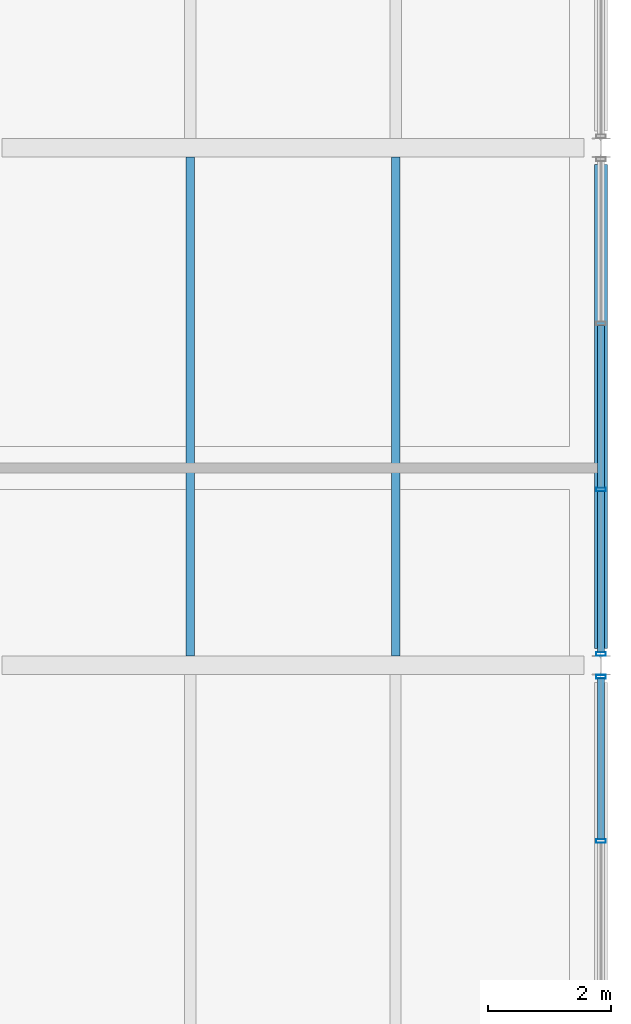
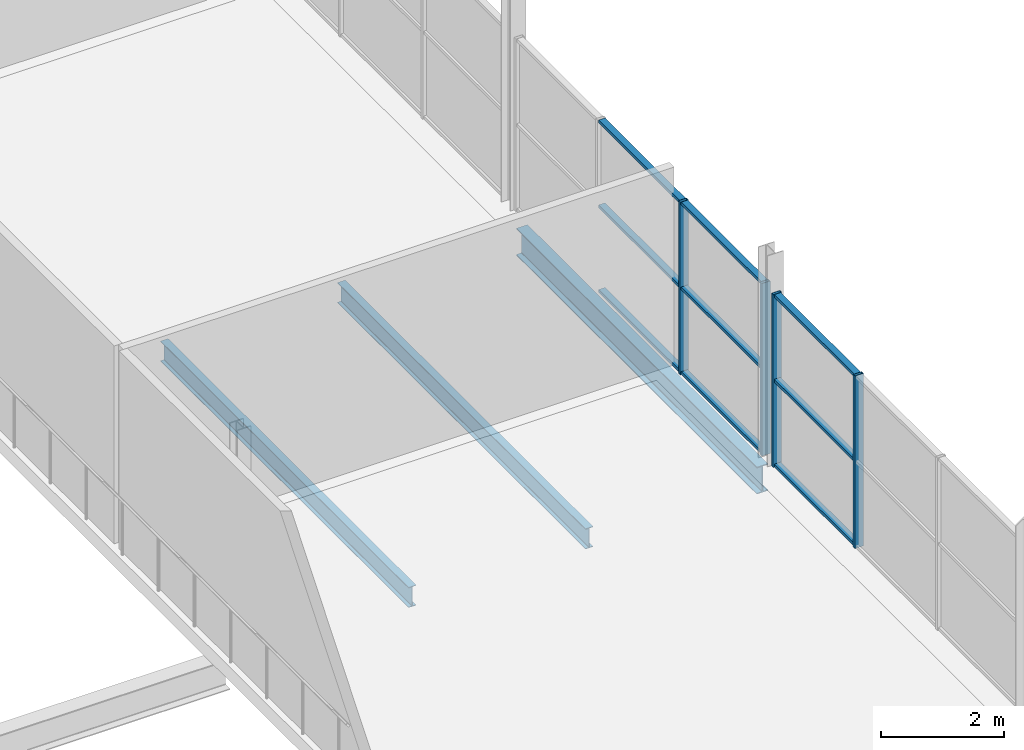
# One storey, part 107 of 161: 13 members, 3 beams, 2 elements without a shape of their own.
"""IFC4 building model written with IfcOpenShell, lengths in metres."""

from ifc_helpers import new_model, si_unit, direction, frame, origin, origin_2d, place, context, subcontext, project, spatial, hollow_rectangle, i_section, extrude, material, material_profile, profile_set, type_object, element, aggregate, save


model = new_model("IFC4")

# Units and contexts
model_context = context("Model", 3, precision=1e-05, world=origin(), true_north=direction((0.0, 1.0)))
body_context = subcontext(model_context, "Body", "Model", "MODEL_VIEW")
ifc_project = project(units=[si_unit("LENGTHUNIT", "METRE"), si_unit("AREAUNIT", "SQUARE_METRE"), si_unit("VOLUMEUNIT", "CUBIC_METRE"), si_unit("PLANEANGLEUNIT", "RADIAN"), si_unit("MASSUNIT", "GRAM", prefix="KILO"), si_unit("THERMODYNAMICTEMPERATUREUNIT", "KELVIN")], contexts=[model_context])

# Site, building, storey
site_placement = place(None, origin())
site = spatial("IfcSite", under=ifc_project, at=site_placement, CompositionType="ELEMENT")
building_placement = place(site_placement, origin())
building = spatial("IfcBuilding", under=site, at=building_placement, Name="Nduvali Passage Aquatics Centre", CompositionType="ELEMENT")
storey_placement = place(building_placement, frame((0.0, 0.0, 4.800048828125)))
storey = spatial("IfcBuildingStorey", under=building, at=storey_placement, Name="L01", CompositionType="ELEMENT", Elevation=4.800048828125)

# Curtain wall, members
ifc_material_1 = material(Name="Aluminium EN AW-6063 T6", Category="aluminium")
curtain_wall_type = type_object("IfcCurtainWallType", Name="ENV-CW-FOYR", PredefinedType="NOTDEFINED", material=ifc_material_1)
curtain_wall_1_placement = place(storey_placement, origin())
curtain_wall_1 = element("IfcCurtainWall", 1, at=curtain_wall_1_placement, inside=storey, type_object=curtain_wall_type, Name="L01 East Avenue Entrance Upper CW 085", PredefinedType="NOTDEFINED")
ifc_material_profile_1 = material_profile(ifc_material_1, hollow_rectangle(XDim=0.06005859375, YDim=0.159912109375, WallThickness=0.00390625, at=origin_2d()), Name="ALU MULLION 60x160x4")
ifc_profile_set_1 = profile_set([ifc_material_profile_1], Name="Aluminium EN AW-6063 T6")
member_type_1 = type_object("IfcMemberType", Name="ENV-MEM-MUL60", PredefinedType="MULLION", material=ifc_profile_set_1)
member_1_placement = place(storey_placement, frame((168.0, 55.9482421875, 0.0), z_axis=(0.0, 0.0, 1.0), x_axis=(0.0, 1.0, 0.0)))
member_1 = element("IfcMember", 2, at=member_1_placement, type_object=member_type_1, Name="East Avenue Entrance Upper CW Mullion 3", PredefinedType="MULLION", context=body_context, shape_type="SweptSolid", body=[
    extrude(hollow_rectangle(XDim=0.06005859375, YDim=0.159912109375, WallThickness=0.00390625, at=origin_2d()), origin(), (0.0, 0.0, 1.0), 3.436279296875),
])
member_2_placement = place(storey_placement, frame((168.0, 58.614990234375, 0.0), z_axis=(0.0, 0.0, 1.0), x_axis=(0.0, 1.0, 0.0)))
member_2 = element("IfcMember", 3, at=member_2_placement, type_object=member_type_1, Name="East Avenue Entrance Upper CW Mullion 4", PredefinedType="MULLION", context=body_context, shape_type="SweptSolid", body=[
    extrude(hollow_rectangle(XDim=0.06005859375, YDim=0.159912109375, WallThickness=0.00390625, at=origin_2d()), origin(), (0.0, 0.0, 1.0), 3.436279296875),
])

curtain_wall_2_placement = place(storey_placement, origin())
curtain_wall_2 = element("IfcCurtainWall", 4, at=curtain_wall_2_placement, inside=storey, type_object=curtain_wall_type, Name="L01 East Avenue Entrance Upper CW 086", PredefinedType="NOTDEFINED")
member_3_placement = place(storey_placement, frame((168.0, 58.985107421875, 0.0), z_axis=(0.0, 0.0, 1.0), x_axis=(0.0, 1.0, 0.0)))
member_3 = element("IfcMember", 5, at=member_3_placement, type_object=member_type_1, Name="East Avenue Entrance Upper CW Mullion 1", PredefinedType="MULLION", context=body_context, shape_type="SweptSolid", body=[
    extrude(hollow_rectangle(XDim=0.06005859375, YDim=0.159912109375, WallThickness=0.00390625, at=origin_2d()), origin(), (0.0, 0.0, 1.0), 3.436279296875),
])
member_4_placement = place(storey_placement, frame((168.0, 61.651611328125, 0.0), z_axis=(0.0, 0.0, 1.0), x_axis=(0.0, 1.0, 0.0)))
member_4 = element("IfcMember", 6, at=member_4_placement, type_object=member_type_1, Name="East Avenue Entrance Upper CW Mullion 2", PredefinedType="MULLION", context=body_context, shape_type="SweptSolid", body=[
    extrude(hollow_rectangle(XDim=0.06005859375, YDim=0.159912109375, WallThickness=0.00390625, at=origin_2d()), origin(), (0.0, 0.0, 1.0), 3.436279296875),
])

# Member
ifc_material_profile_2 = material_profile(ifc_material_1, hollow_rectangle(XDim=0.1201171875, YDim=0.06005859375, WallThickness=0.00390625, at=origin_2d()), Name="ALU TRANSOM 120x60x4")
ifc_profile_set_2 = profile_set([ifc_material_profile_2], Name="Aluminium EN AW-6063 T6")
member_type_2 = type_object("IfcMemberType", Name="ENV-MEM-TRN60", PredefinedType="USERDEFINED", material=ifc_profile_set_2)
member_5_placement = place(storey_placement, frame((168.0, 55.978271484375, 0.030029296875), z_axis=(0.0, 1.0, 0.0), x_axis=(-1.0, 0.0, 0.0)))
member_5 = element("IfcMember", 7, at=member_5_placement, type_object=member_type_2, Name="East Avenue Entrance Upper CW Transom B3-R0", ObjectType="TRANSOM", PredefinedType="USERDEFINED", context=body_context, shape_type="SweptSolid", body=[
    extrude(hollow_rectangle(XDim=0.1201171875, YDim=0.06005859375, WallThickness=0.00390625, at=origin_2d()), origin(), (0.0, 0.0, 1.0), 2.606689453125),
])

member_6_placement = place(storey_placement, frame((168.0, 55.978271484375, 1.71826171875), z_axis=(0.0, 1.0, 0.0), x_axis=(-1.0, 0.0, 0.0)))
member_6 = element("IfcMember", 8, at=member_6_placement, type_object=member_type_2, Name="East Avenue Entrance Upper CW Transom B3-R1", ObjectType="TRANSOM", PredefinedType="USERDEFINED", context=body_context, shape_type="SweptSolid", body=[
    extrude(hollow_rectangle(XDim=0.1201171875, YDim=0.06005859375, WallThickness=0.00390625, at=origin_2d()), origin(), (0.0, 0.0, 1.0), 2.606689453125),
])

member_7_placement = place(storey_placement, frame((168.0, 55.978271484375, 3.40625), z_axis=(0.0, 1.0, 0.0), x_axis=(-1.0, 0.0, 0.0)))
member_7 = element("IfcMember", 9, at=member_7_placement, type_object=member_type_2, Name="East Avenue Entrance Upper CW Transom B3-R2", ObjectType="TRANSOM", PredefinedType="USERDEFINED", context=body_context, shape_type="SweptSolid", body=[
    extrude(hollow_rectangle(XDim=0.1201171875, YDim=0.06005859375, WallThickness=0.00390625, at=origin_2d()), origin(), (0.0, 0.0, 1.0), 2.606689453125),
])

aggregate(curtain_wall_1, [member_1, member_2, member_5, member_6, member_7])

member_8_placement = place(storey_placement, frame((168.0, 59.014892578125, 0.030029296875), z_axis=(0.0, 1.0, 0.0), x_axis=(-1.0, 0.0, 0.0)))
member_8 = element("IfcMember", 10, at=member_8_placement, type_object=member_type_2, Name="East Avenue Entrance Upper CW Transom B1-R0", ObjectType="TRANSOM", PredefinedType="USERDEFINED", context=body_context, shape_type="SweptSolid", body=[
    extrude(hollow_rectangle(XDim=0.1201171875, YDim=0.06005859375, WallThickness=0.00390625, at=origin_2d()), origin(), (0.0, 0.0, 1.0), 2.606689453125),
])

member_9_placement = place(storey_placement, frame((168.0, 59.014892578125, 1.71826171875), z_axis=(0.0, 1.0, 0.0), x_axis=(-1.0, 0.0, 0.0)))
member_9 = element("IfcMember", 11, at=member_9_placement, type_object=member_type_2, Name="East Avenue Entrance Upper CW Transom B1-R1", ObjectType="TRANSOM", PredefinedType="USERDEFINED", context=body_context, shape_type="SweptSolid", body=[
    extrude(hollow_rectangle(XDim=0.1201171875, YDim=0.06005859375, WallThickness=0.00390625, at=origin_2d()), origin(), (0.0, 0.0, 1.0), 2.606689453125),
])

member_10_placement = place(storey_placement, frame((168.0, 59.014892578125, 3.40625), z_axis=(0.0, 1.0, 0.0), x_axis=(-1.0, 0.0, 0.0)))
member_10 = element("IfcMember", 12, at=member_10_placement, type_object=member_type_2, Name="East Avenue Entrance Upper CW Transom B1-R2", ObjectType="TRANSOM", PredefinedType="USERDEFINED", context=body_context, shape_type="SweptSolid", body=[
    extrude(hollow_rectangle(XDim=0.1201171875, YDim=0.06005859375, WallThickness=0.00390625, at=origin_2d()), origin(), (0.0, 0.0, 1.0), 2.606689453125),
])

member_11_placement = place(storey_placement, frame((168.0, 61.681640625, 0.030029296875), z_axis=(0.0, 1.0, 0.0), x_axis=(-1.0, 0.0, 0.0)))
member_11 = element("IfcMember", 13, at=member_11_placement, type_object=member_type_2, Name="East Avenue Entrance Upper CW Transom B2-R0", ObjectType="TRANSOM", PredefinedType="USERDEFINED", context=body_context, shape_type="SweptSolid", body=[
    extrude(hollow_rectangle(XDim=0.1201171875, YDim=0.06005859375, WallThickness=0.00390625, at=origin_2d()), origin(), (0.0, 0.0, 1.0), 2.63671875),
])

member_12_placement = place(storey_placement, frame((168.0, 61.681640625, 1.71826171875), z_axis=(0.0, 1.0, 0.0), x_axis=(-1.0, 0.0, 0.0)))
member_12 = element("IfcMember", 14, at=member_12_placement, type_object=member_type_2, Name="East Avenue Entrance Upper CW Transom B2-R1", ObjectType="TRANSOM", PredefinedType="USERDEFINED", context=body_context, shape_type="SweptSolid", body=[
    extrude(hollow_rectangle(XDim=0.1201171875, YDim=0.06005859375, WallThickness=0.00390625, at=origin_2d()), origin(), (0.0, 0.0, 1.0), 2.63671875),
])

member_13_placement = place(storey_placement, frame((168.0, 61.681640625, 3.40625), z_axis=(0.0, 1.0, 0.0), x_axis=(-1.0, 0.0, 0.0)))
member_13 = element("IfcMember", 15, at=member_13_placement, type_object=member_type_2, Name="East Avenue Entrance Upper CW Transom B2-R2", ObjectType="TRANSOM", PredefinedType="USERDEFINED", context=body_context, shape_type="SweptSolid", body=[
    extrude(hollow_rectangle(XDim=0.1201171875, YDim=0.06005859375, WallThickness=0.00390625, at=origin_2d()), origin(), (0.0, 0.0, 1.0), 2.63671875),
])

aggregate(curtain_wall_2, [member_3, member_4, member_8, member_9, member_10, member_11, member_12, member_13])

# Beams
ifc_material_2 = material(Name="Steel S355", Category="steel")
ifc_material_profile_3 = material_profile(ifc_material_2, i_section(OverallWidth=0.210693359375, OverallDepth=0.53955078125, WebThickness=0.01171875, FlangeThickness=0.018798828125, FilletRadius=0.0126953125, at=origin_2d()), Name="UKB 533x210x109")
ifc_profile_set_3 = profile_set([ifc_material_profile_3], Name="Steel S355")
beam_type_1 = type_object("IfcBeamType", Name="STR-BM-UKB533-EXT", PredefinedType="BEAM", material=ifc_profile_set_3)
beam_placement = place(storey_placement, frame((168.0, 59.074951171875, -0.553955078125), z_axis=(0.0, 1.0, 0.0), x_axis=(-1.0, 0.0, 0.0)))
element("IfcBeam", 16, at=beam_placement, inside=storey, type_object=beam_type_1, Name="L01 Primary Y-Girder B6E-0686", PredefinedType="BEAM", context=body_context, shape_type="SweptSolid", body=[
    extrude(i_section(OverallWidth=0.210693359375, OverallDepth=0.53955078125, WebThickness=0.01171875, FlangeThickness=0.018798828125, FilletRadius=0.0126953125, at=origin_2d()), origin(), (0.0, 0.0, 1.0), 7.85009765625),
])
ifc_material_profile_4 = material_profile(ifc_material_2, i_section(OverallWidth=0.14208984375, OverallDepth=0.4033203125, WebThickness=0.0068359375, FlangeThickness=0.01123046875, FilletRadius=0.01025390625, at=origin_2d()), Name="UKB 406x140x46")
ifc_profile_set_4 = profile_set([ifc_material_profile_4], Name="Steel S355")
beam_type_2 = type_object("IfcBeamType", Name="STR-JST-UKB406L", PredefinedType="JOIST", material=ifc_profile_set_4)
for number, where, z_axis, x_axis, name in (
    (17, (161.333251953125, 58.952392578125, -0.485595703125), (0.0, 1.0, 0.0), (-1.0, 0.0, 0.0), "L01 Secondary Joist J1B-0777"),
    (18, (164.666748046875, 58.952392578125, -0.485595703125), (0.0, 1.0, 0.0), (-1.0, 0.0, 0.0), "L01 Secondary Joist J1B-0778"),
):
    element("IfcBeam", number, at=place(storey_placement, frame(where, z_axis=z_axis, x_axis=x_axis)), inside=storey, type_object=beam_type_2, Name=name, PredefinedType="JOIST", context=body_context, shape_type="SweptSolid", body=[
        extrude(i_section(OverallWidth=0.14208984375, OverallDepth=0.4033203125, WebThickness=0.0068359375, FlangeThickness=0.01123046875, FilletRadius=0.01025390625, at=origin_2d()), origin(), (0.0, 0.0, 1.0), 8.09521484375),
    ])

save(model, "model.ifc")
